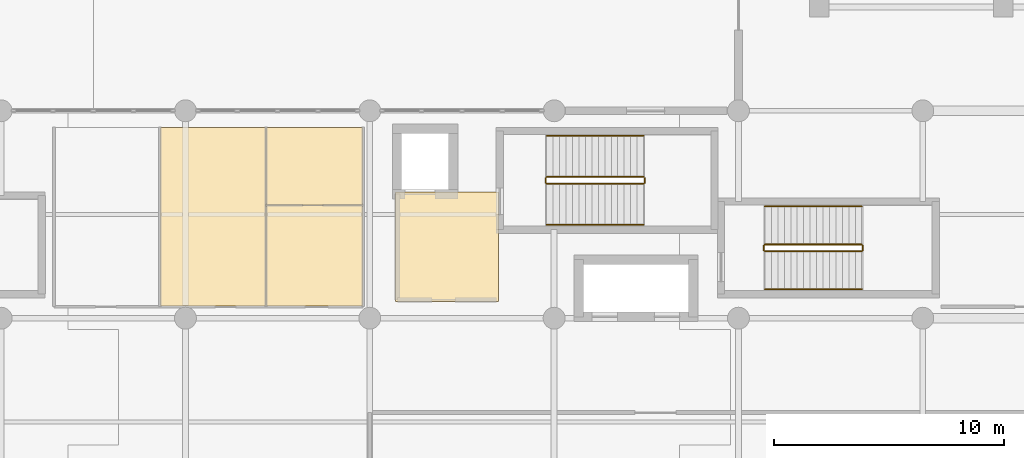
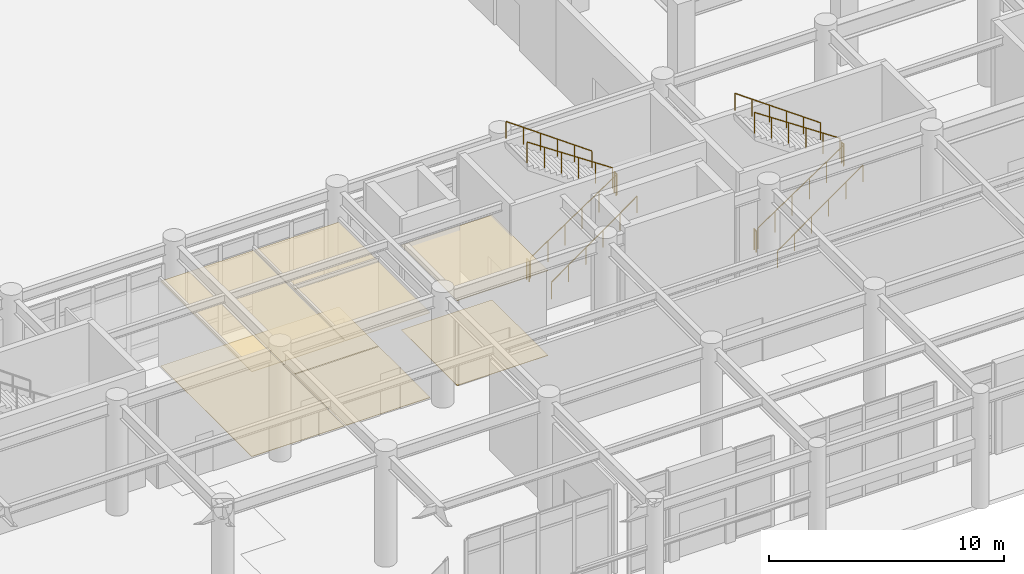
# One storey, part 43 of 49: 12 railings, 8 coverings.
"""IFC4 building model written with IfcOpenShell, lengths in metres."""

import ifcopenshell
import ifcopenshell.guid

model = None  # the IFC model being written
_history = None  # IfcOwnerHistory: only IFC2X3 demands one
_inside = {}  # id of a spatial element -> (the spatial element, [elements in it])
_under = {}  # id of a project, library or spatial element -> (it, [spatial elements below it])
_declared = {}  # id of a project -> (the project, [libraries it declares])
_typed = {}  # id of a type object -> (the type object, [elements of that type])
_made_of = {}  # id of a material, layer set ... -> (it, [elements and type objects made of it])


def new_model(schema):
    """Start an empty IFC model of exactly this schema.

    Asked for "IFC4X3", IfcOpenShell would pick the latest addendum, in which some entities
    have other attributes; the version numbers below select the first issue.
    IFC2X3 requires an IfcOwnerHistory on every rooted entity: one is made here for all.
    """
    global model, _history
    if schema == "IFC4X3":
        model = ifcopenshell.file(schema_version=(4, 3, 0, 0))
    else:
        model = ifcopenshell.file(schema=schema)
    _inside.clear()
    _under.clear()
    _declared.clear()
    _typed.clear()
    _made_of.clear()
    _history = None
    if model.schema == "IFC2X3":
        org = make("IfcOrganization", Name="unknown")
        user = make(
            "IfcPersonAndOrganization",
            ThePerson=make("IfcPerson", FamilyName="unknown"),
            TheOrganization=org,
        )
        app = make(
            "IfcApplication",
            ApplicationDeveloper=org,
            Version="unknown",
            ApplicationFullName="unknown",
            ApplicationIdentifier="unknown",
        )
        _history = make(
            "IfcOwnerHistory",
            OwningUser=user,
            OwningApplication=app,
            ChangeAction="ADDED",
            CreationDate=0,
        )
    return model


def make(cls, **values):
    """One entity of the class cls with the attributes given. An attribute that is None is left unset."""
    return model.create_entity(
        cls, **{name: value for name, value in values.items() if value is not None}
    )


def rooted(cls, **values):
    """An entity with a GlobalId (a new one), such as an element, a storey or a relation."""
    return make(cls, GlobalId=ifcopenshell.guid.new(), OwnerHistory=_history, **values)


def si_unit(unit_type, name, prefix=None):
    """IfcSIUnit, for example si_unit("LENGTHUNIT", "METRE", prefix="MILLI")."""
    return make("IfcSIUnit", UnitType=unit_type, Prefix=prefix, Name=name)


def assignment(units):
    """IfcUnitAssignment: the units of a project."""
    return None if units is None else make("IfcUnitAssignment", Units=units)


def point(xyz):
    """IfcCartesianPoint."""
    return None if xyz is None else make("IfcCartesianPoint", Coordinates=xyz)


def direction(xyz):
    """IfcDirection."""
    return None if xyz is None else make("IfcDirection", DirectionRatios=xyz)


def frame(location, z_axis=None, x_axis=None):
    """IfcAxis2Placement3D, a coordinate frame: its origin and axes. An axis left out is left unset."""
    return make(
        "IfcAxis2Placement3D",
        Location=point(location),
        Axis=direction(z_axis),
        RefDirection=direction(x_axis),
    )


def frame_2d(location, x_axis=None):
    """IfcAxis2Placement2D, a coordinate frame in the plane: its origin and x axis."""
    return make(
        "IfcAxis2Placement2D", Location=point(location), RefDirection=direction(x_axis)
    )


def origin():
    """The frame at (0, 0, 0) with its axes left unset."""
    return frame((0.0, 0.0, 0.0))


def origin_2d():
    """The frame at (0, 0) in the plane with its x axis left unset."""
    return frame_2d((0.0, 0.0))


def place(relative_to, where):
    """IfcLocalPlacement: puts the frame where relative to a parent placement (None: the world)."""
    return make(
        "IfcLocalPlacement", PlacementRelTo=relative_to, RelativePlacement=where
    )


def context(
    kind, dimensions, precision=None, world=None, true_north=None, identifier=None
):
    """IfcGeometricRepresentationContext, for example the 3D "Model" context."""
    return make(
        "IfcGeometricRepresentationContext",
        ContextIdentifier=identifier,
        ContextType=kind,
        CoordinateSpaceDimension=dimensions,
        Precision=precision,
        WorldCoordinateSystem=world,
        TrueNorth=true_north,
    )


def subcontext(parent, identifier, kind, view, scale=None):
    """IfcGeometricRepresentationSubContext, for example "Body" below "Model"."""
    return make(
        "IfcGeometricRepresentationSubContext",
        ContextIdentifier=identifier,
        ContextType=kind,
        ParentContext=parent,
        TargetScale=scale,
        TargetView=view,
    )


def project(units=None, contexts=None):
    """IfcProject with its units and contexts."""
    return rooted(
        "IfcProject",
        Name="project",
        RepresentationContexts=contexts,
        UnitsInContext=assignment(units),
    )


def spatial(cls, under=None, at=None, **own):
    """A site, building, storey or space (cls), placed at a placement, below another one or the project."""
    s = rooted(cls, ObjectPlacement=at, **own)
    if under is not None:
        _under.setdefault(under.id(), (under, []))[1].append(s)
    return s


def polyline(points):
    """IfcPolyline through the points."""
    return make("IfcPolyline", Points=[point(p) for p in points])


def profile(cls, at=None, kind="AREA", **sizes):
    """A parametric profile (cls). Its sizes go by their IFC names, for example OverallWidth=200.0."""
    return make(cls, ProfileType=kind, Position=at, **sizes)


def circle(**sizes):
    """IfcCircleProfileDef."""
    return profile("IfcCircleProfileDef", **sizes)


def outline(outer, holes=None, kind="AREA"):
    """IfcArbitraryClosedProfileDef: a profile drawn as a closed curve; with holes, ...WithVoids."""
    if holes is None:
        return make("IfcArbitraryClosedProfileDef", ProfileType=kind, OuterCurve=outer)
    return make(
        "IfcArbitraryProfileDefWithVoids",
        ProfileType=kind,
        OuterCurve=outer,
        InnerCurves=holes,
    )


def extrude(swept, where, along, depth):
    """IfcExtrudedAreaSolid: the profile swept, set in the frame where, extruded along a direction by depth."""
    return make(
        "IfcExtrudedAreaSolid",
        SweptArea=swept,
        Position=where,
        ExtrudedDirection=direction(along),
        Depth=depth,
    )


def shape(context_of_items, identifier, shape_type, items):
    """IfcShapeRepresentation: the items that make up one representation, for example the "Body"."""
    return make(
        "IfcShapeRepresentation",
        ContextOfItems=context_of_items,
        RepresentationIdentifier=identifier,
        RepresentationType=shape_type,
        Items=items,
    )


def material(Name=None, Category=None):
    """IfcMaterial."""
    return make("IfcMaterial", Name=Name, Category=Category)


def layer(
    of_material, thickness, ventilated=None, Name=None, Category=None, Priority=None
):
    """IfcMaterialLayer: one layer of a wall or slab, of a material (None: an air gap)."""
    return make(
        "IfcMaterialLayer",
        Material=of_material,
        LayerThickness=thickness,
        IsVentilated=ventilated,
        Name=Name,
        Category=Category,
        Priority=Priority,
    )


def layer_set(layers, Name=None):
    """IfcMaterialLayerSet."""
    return make("IfcMaterialLayerSet", MaterialLayers=layers, LayerSetName=Name)


def made_of(thing, what):
    """Note that an element or type object is made of a material, layer set ...; save() writes the relation."""
    if what is not None:
        _made_of.setdefault(what.id(), (what, []))[1].append(thing)
    return thing


def type_object(cls, material=None, **own):
    """A type object (cls), such as IfcWallType, which elements share."""
    return made_of(rooted(cls, **own), material)


def element(
    cls,
    number,
    at=None,
    inside=None,
    cuts=None,
    type_object=None,
    material=None,
    context=None,
    identifier="Body",
    shape_type=None,
    held_by="IfcProductDefinitionShape",
    body=None,
    shapes=None,
    **own,
):
    """One element of the class cls, such as IfcWall. Its Tag is "e" and its number.

    at: its placement. inside: the storey or other place that contains it. cuts: it is an
    opening in that element (IfcRelVoidsElement). A single representation is given by context,
    identifier, shape_type and body (its items); several are given by shapes. held_by: the class
    of the entity that holds the representations. save() writes the other relations.
    """
    e = rooted(cls, Tag="e%d" % number, ObjectPlacement=at, **own)
    if body is not None:
        shapes = [shape(context, identifier, shape_type, body)]
    if shapes is not None:
        e.Representation = make(held_by, Representations=shapes)
    if inside is not None:
        _inside.setdefault(inside.id(), (inside, []))[1].append(e)
    if cuts is not None:
        rooted(
            "IfcRelVoidsElement", RelatingBuildingElement=cuts, RelatedOpeningElement=e
        )
    if type_object is not None:
        _typed.setdefault(type_object.id(), (type_object, []))[1].append(e)
    return made_of(e, material)


def aggregate(whole, parts):
    """IfcRelAggregates: a whole, such as a stair, and the parts it consists of."""
    return rooted("IfcRelAggregates", RelatingObject=whole, RelatedObjects=parts)


def save(model, path):
    """Write the relations noted so far, then the file.

    IfcRelAggregates (storeys below a building ...), IfcRelContainedInSpatialStructure (elements
    in a storey), IfcRelDefinesByType, IfcRelAssociatesMaterial and IfcRelDeclares: one each for
    every whole, place, type object, material and project.
    """
    for whole, parts in _under.values():
        aggregate(whole, parts)
    for where, things in _inside.values():
        rooted(
            "IfcRelContainedInSpatialStructure",
            RelatedElements=things,
            RelatingStructure=where,
        )
    for kind, things in _typed.values():
        rooted("IfcRelDefinesByType", RelatedObjects=things, RelatingType=kind)
    for what, things in _made_of.values():
        rooted("IfcRelAssociatesMaterial", RelatedObjects=things, RelatingMaterial=what)
    for by, libraries in _declared.values():
        rooted("IfcRelDeclares", RelatingContext=by, RelatedDefinitions=libraries)
    model.write(path)


model = new_model("IFC4")

# Units and contexts
model_context = context("Model", 3, precision=1e-05, world=origin(), true_north=direction((0.0, 1.0)))
body_context = subcontext(model_context, "Body", "Model", "MODEL_VIEW")
ifc_project = project(units=[si_unit("LENGTHUNIT", "METRE"), si_unit("AREAUNIT", "SQUARE_METRE"), si_unit("VOLUMEUNIT", "CUBIC_METRE"), si_unit("PLANEANGLEUNIT", "RADIAN"), si_unit("MASSUNIT", "GRAM", prefix="KILO")], contexts=[model_context])

# Site, building, storey
site_placement = place(None, origin())
site = spatial("IfcSite", under=ifc_project, at=site_placement, CompositionType="ELEMENT")
building_placement = place(site_placement, origin())
building = spatial("IfcBuilding", under=site, at=building_placement, Name="Tlacozan Convention Centre", CompositionType="ELEMENT")
storey_placement = place(building_placement, origin())
storey = spatial("IfcBuildingStorey", under=building, at=storey_placement, Name="L00", CompositionType="ELEMENT", Elevation=0.0)

# Coverings
ifc_material_1 = material(Name="Perforated Acoustic Mineral Fibre Ceiling")
ifc_layer_1 = layer(ifc_material_1, 0.02490234375)
ifc_layer_set_1 = layer_set([ifc_layer_1], Name="Perforated Acoustic Mineral Fibre Ceiling")
covering_type_1 = type_object("IfcCoveringType", Name="Acoustic Mineral Fibre Ceiling 25", PredefinedType="CEILING", material=ifc_layer_set_1)
covering_1_placement = place(storey_placement, frame((0.0, 0.0, 4.39990234375)))
element("IfcCovering", 1, at=covering_1_placement, inside=storey, type_object=covering_type_1, Name="L00 Acoustic Ceiling L00-FFL-2", PredefinedType="CEILING", context=body_context, shape_type="SweptSolid", body=[
    extrude(outline(polyline([(73.1201171875, 18.719970703125), (77.580078125, 18.719970703125), (77.580078125, 23.47998046875), (73.1201171875, 23.47998046875), (73.1201171875, 18.719970703125)])), origin(), (0.0, 0.0, 1.0), 0.025146484375),
])
covering_2_placement = place(storey_placement, frame((0.0, 0.0, 4.39990234375)))
element("IfcCovering", 2, at=covering_2_placement, inside=storey, type_object=covering_type_1, Name="L00 Acoustic Ceiling L00-WC2", PredefinedType="CEILING", context=body_context, shape_type="SweptSolid", body=[
    extrude(outline(polyline([(62.919921875, 18.52001953125), (67.47998046875, 18.52001953125), (67.47998046875, 26.280029296875), (62.919921875, 26.280029296875), (62.919921875, 18.52001953125)])), origin(), (0.0, 0.0, 1.0), 0.025146484375),
])
covering_3_placement = place(storey_placement, frame((0.0, 0.0, 4.39990234375)))
element("IfcCovering", 3, at=covering_3_placement, inside=storey, type_object=covering_type_1, Name="L00 Acoustic Ceiling L00-WCA", PredefinedType="CEILING", context=body_context, shape_type="SweptSolid", body=[
    extrude(outline(polyline([(67.52001953125, 18.52001953125), (71.679931640625, 18.52001953125), (71.679931640625, 22.8798828125), (67.52001953125, 22.8798828125), (67.52001953125, 18.52001953125)])), origin(), (0.0, 0.0, 1.0), 0.025146484375),
])
covering_4_placement = place(storey_placement, frame((0.0, 0.0, 4.39990234375)))
element("IfcCovering", 4, at=covering_4_placement, inside=storey, type_object=covering_type_1, Name="L00 Acoustic Ceiling L00-JAN", PredefinedType="CEILING", context=body_context, shape_type="SweptSolid", body=[
    extrude(outline(polyline([(67.52001953125, 22.919921875), (71.679931640625, 22.919921875), (71.679931640625, 26.280029296875), (67.52001953125, 26.280029296875), (67.52001953125, 22.919921875)])), origin(), (0.0, 0.0, 1.0), 0.025146484375),
])
ifc_material_2 = material(Name="Polished Basalt Terrazzo Flooring", Category="masonry")
ifc_layer_2 = layer(ifc_material_2, 0.02001953125)
ifc_layer_set_2 = layer_set([ifc_layer_2], Name="Polished Basalt Terrazzo Flooring")
covering_type_2 = type_object("IfcCoveringType", Name="Polished Basalt Terrazzo Flooring 20", PredefinedType="FLOORING", material=ifc_layer_set_2)
covering_5_placement = place(storey_placement, origin())
element("IfcCovering", 5, at=covering_5_placement, inside=storey, type_object=covering_type_2, Name="L00 Terrazzo Flooring L00-FFL-2", PredefinedType="FLOORING", context=body_context, shape_type="SweptSolid", body=[
    extrude(outline(polyline([(73.1201171875, 18.719970703125), (77.580078125, 18.719970703125), (77.580078125, 23.47998046875), (73.1201171875, 23.47998046875), (73.1201171875, 18.719970703125)])), origin(), (0.0, 0.0, 1.0), 0.02001953125),
])
covering_6_placement = place(storey_placement, origin())
element("IfcCovering", 6, at=covering_6_placement, inside=storey, type_object=covering_type_2, Name="L00 Terrazzo Flooring L00-WC2", PredefinedType="FLOORING", context=body_context, shape_type="SweptSolid", body=[
    extrude(outline(polyline([(62.919921875, 18.52001953125), (67.47998046875, 18.52001953125), (67.47998046875, 26.280029296875), (62.919921875, 26.280029296875), (62.919921875, 18.52001953125)])), origin(), (0.0, 0.0, 1.0), 0.02001953125),
])
covering_7_placement = place(storey_placement, origin())
element("IfcCovering", 7, at=covering_7_placement, inside=storey, type_object=covering_type_2, Name="L00 Terrazzo Flooring L00-WCA", PredefinedType="FLOORING", context=body_context, shape_type="SweptSolid", body=[
    extrude(outline(polyline([(67.52001953125, 18.52001953125), (71.679931640625, 18.52001953125), (71.679931640625, 22.8798828125), (67.52001953125, 22.8798828125), (67.52001953125, 18.52001953125)])), origin(), (0.0, 0.0, 1.0), 0.02001953125),
])
covering_8_placement = place(storey_placement, origin())
element("IfcCovering", 8, at=covering_8_placement, inside=storey, type_object=covering_type_2, Name="L00 Terrazzo Flooring L00-JAN", PredefinedType="FLOORING", context=body_context, shape_type="SweptSolid", body=[
    extrude(outline(polyline([(67.52001953125, 22.919921875), (71.679931640625, 22.919921875), (71.679931640625, 26.280029296875), (67.52001953125, 26.280029296875), (67.52001953125, 22.919921875)])), origin(), (0.0, 0.0, 1.0), 0.02001953125),
])

# Railings
ifc_material_3 = material(Name="Architectural Painted Galvanised Steel Railing", Category="steel")
railing_type_1 = type_object("IfcRailingType", Name="Stair Wall Handrail 900", PredefinedType="HANDRAIL", material=ifc_material_3)
railing_1_placement = place(storey_placement, frame((79.679931640625, 22.050048828125, 0.1875)))
element("IfcRailing", 9, at=railing_1_placement, inside=storey, type_object=railing_type_1, Name="L00 ST-02 stair handrail 1", PredefinedType="HANDRAIL", context=body_context, shape_type="SweptSolid", body=[
    extrude(circle(Radius=0.02392578125, at=origin_2d()), frame((0.0, 0.0, 0.8759765625), z_axis=(0.813730275137, 0.0, 0.581242668191), x_axis=(0.0, 1.0, 0.0)), (0.0, 0.0, 1.0), 5.161376953125),
    extrude(circle(Radius=0.02099609375, at=origin_2d()), origin(), (0.0, 0.0, 1.0), 0.851806640625),
    extrude(circle(Radius=0.02099609375, at=origin_2d()), frame((0.840087890625, 0.0, 0.60009765625)), (0.0, 0.0, 1.0), 0.851806640625),
    extrude(circle(Radius=0.02099609375, at=origin_2d()), frame((1.679931640625, 0.0, 1.199951171875)), (0.0, 0.0, 1.0), 0.851806640625),
    extrude(circle(Radius=0.02099609375, at=origin_2d()), frame((2.52001953125, 0.0, 1.800048828125)), (0.0, 0.0, 1.0), 0.851806640625),
    extrude(circle(Radius=0.02099609375, at=origin_2d()), frame((3.35986328125, 0.0, 2.39990234375)), (0.0, 0.0, 1.0), 0.851806640625),
    extrude(circle(Radius=0.02099609375, at=origin_2d()), frame((4.199951171875, 0.0, 3.0)), (0.0, 0.0, 1.0), 0.851806640625),
])
railing_2_placement = place(storey_placement, frame((83.8798828125, 25.909912109375, 3.1875)))
element("IfcRailing", 10, at=railing_2_placement, inside=storey, type_object=railing_type_1, Name="L00 ST-02 stair handrail 2", PredefinedType="HANDRAIL", context=body_context, shape_type="SweptSolid", body=[
    extrude(circle(Radius=0.02392578125, at=origin_2d()), frame((0.0, 0.0, 0.8759765625), z_axis=(-0.813730275137, 0.0, 0.581242668191), x_axis=(0.0, -1.0, 0.0)), (0.0, 0.0, 1.0), 5.161376953125),
    extrude(circle(Radius=0.02099609375, at=origin_2d()), origin(), (0.0, 0.0, 1.0), 0.851806640625),
    extrude(circle(Radius=0.02099609375, at=origin_2d()), frame((-0.840087890625, 0.0, 0.60009765625)), (0.0, 0.0, 1.0), 0.851806640625),
    extrude(circle(Radius=0.02099609375, at=origin_2d()), frame((-1.679931640625, 0.0, 1.199951171875)), (0.0, 0.0, 1.0), 0.851806640625),
    extrude(circle(Radius=0.02099609375, at=origin_2d()), frame((-2.52001953125, 0.0, 1.800048828125)), (0.0, 0.0, 1.0), 0.851806640625),
    extrude(circle(Radius=0.02099609375, at=origin_2d()), frame((-3.35986328125, 0.0, 2.39990234375)), (0.0, 0.0, 1.0), 0.851806640625),
    extrude(circle(Radius=0.02099609375, at=origin_2d()), frame((-4.199951171875, 0.0, 3.0)), (0.0, 0.0, 1.0), 0.851806640625),
])
railing_3_placement = place(storey_placement, frame((89.14990234375, 19.25, 0.1875)))
element("IfcRailing", 11, at=railing_3_placement, inside=storey, type_object=railing_type_1, Name="L00 ST-15 stair handrail 1", PredefinedType="HANDRAIL", context=body_context, shape_type="SweptSolid", body=[
    extrude(circle(Radius=0.02392578125, at=origin_2d()), frame((0.0, 0.0, 0.8759765625), z_axis=(0.813746254747, 0.0, 0.581220296346), x_axis=(0.0, 1.0, 0.0)), (0.0, 0.0, 1.0), 5.16162109375),
    extrude(circle(Radius=0.02099609375, at=origin_2d()), origin(), (0.0, 0.0, 1.0), 0.851806640625),
    extrude(circle(Radius=0.02099609375, at=origin_2d()), frame((0.840087890625, 0.0, 0.60009765625)), (0.0, 0.0, 1.0), 0.851806640625),
    extrude(circle(Radius=0.02099609375, at=origin_2d()), frame((1.68017578125, 0.0, 1.199951171875)), (0.0, 0.0, 1.0), 0.851806640625),
    extrude(circle(Radius=0.02099609375, at=origin_2d()), frame((2.52001953125, 0.0, 1.800048828125)), (0.0, 0.0, 1.0), 0.851806640625),
    extrude(circle(Radius=0.02099609375, at=origin_2d()), frame((3.360107421875, 0.0, 2.39990234375)), (0.0, 0.0, 1.0), 0.851806640625),
    extrude(circle(Radius=0.02099609375, at=origin_2d()), frame((4.2001953125, 0.0, 3.0)), (0.0, 0.0, 1.0), 0.851806640625),
])
railing_4_placement = place(storey_placement, frame((93.35009765625, 22.85009765625, 3.1875)))
element("IfcRailing", 12, at=railing_4_placement, inside=storey, type_object=railing_type_1, Name="L00 ST-15 stair handrail 2", PredefinedType="HANDRAIL", context=body_context, shape_type="SweptSolid", body=[
    extrude(circle(Radius=0.02392578125, at=origin_2d()), frame((0.0, 0.0, 0.8759765625), z_axis=(-0.813746254747, 0.0, 0.581220296346), x_axis=(0.0, -1.0, 0.0)), (0.0, 0.0, 1.0), 5.16162109375),
    extrude(circle(Radius=0.02099609375, at=origin_2d()), origin(), (0.0, 0.0, 1.0), 0.851806640625),
    extrude(circle(Radius=0.02099609375, at=origin_2d()), frame((-0.840087890625, 0.0, 0.60009765625)), (0.0, 0.0, 1.0), 0.851806640625),
    extrude(circle(Radius=0.02099609375, at=origin_2d()), frame((-1.68017578125, 0.0, 1.199951171875)), (0.0, 0.0, 1.0), 0.851806640625),
    extrude(circle(Radius=0.02099609375, at=origin_2d()), frame((-2.52001953125, 0.0, 1.800048828125)), (0.0, 0.0, 1.0), 0.851806640625),
    extrude(circle(Radius=0.02099609375, at=origin_2d()), frame((-3.360107421875, 0.0, 2.39990234375)), (0.0, 0.0, 1.0), 0.851806640625),
    extrude(circle(Radius=0.02099609375, at=origin_2d()), frame((-4.2001953125, 0.0, 3.0)), (0.0, 0.0, 1.0), 0.851806640625),
])
railing_type_2 = type_object("IfcRailingType", Name="Stair Well Guardrail 1100", PredefinedType="GUARDRAIL", material=ifc_material_3)
railing_5_placement = place(storey_placement, frame((79.679931640625, 23.830078125, 0.1875)))
element("IfcRailing", 13, at=railing_5_placement, inside=storey, type_object=railing_type_2, Name="L00 ST-02 stair guard 1", PredefinedType="GUARDRAIL", context=body_context, shape_type="SweptSolid", body=[
    extrude(circle(Radius=0.02392578125, at=origin_2d()), frame((0.0, 0.0, 1.076171875), z_axis=(0.830904186295, 0.0, 0.556415522067), x_axis=(0.0, 1.0, 0.0)), (0.0, 0.0, 1.0), 5.0546875),
    extrude(circle(Radius=0.02099609375, at=origin_2d()), origin(), (0.0, 0.0, 1.0), 1.052001953125),
    extrude(circle(Radius=0.02099609375, at=origin_2d()), frame((0.840087890625, 0.0, 0.5625)), (0.0, 0.0, 1.0), 1.052001953125),
    extrude(circle(Radius=0.02099609375, at=origin_2d()), frame((1.679931640625, 0.0, 1.125)), (0.0, 0.0, 1.0), 1.052001953125),
    extrude(circle(Radius=0.02099609375, at=origin_2d()), frame((2.52001953125, 0.0, 1.6875)), (0.0, 0.0, 1.0), 1.052001953125),
    extrude(circle(Radius=0.02099609375, at=origin_2d()), frame((3.35986328125, 0.0, 2.25)), (0.0, 0.0, 1.0), 1.052001953125),
    extrude(circle(Radius=0.02099609375, at=origin_2d()), frame((4.199951171875, 0.0, 2.8125)), (0.0, 0.0, 1.0), 1.052001953125),
])
railing_6_placement = place(storey_placement, frame((83.929931640625, 23.8798828125, 3.0)))
element("IfcRailing", 14, at=railing_6_placement, inside=storey, type_object=railing_type_2, Name="L00 ST-02 stair guard 2", PredefinedType="GUARDRAIL", context=body_context, shape_type="SweptSolid", body=[
    extrude(circle(Radius=0.02392578125, at=origin_2d()), frame((0.0, 0.0, 1.076171875), z_axis=(0.0, 1.0, 0.0), x_axis=(-1.0, 0.0, 0.0)), (0.0, 0.0, 1.0), 0.2001953125),
    extrude(circle(Radius=0.02099609375, at=origin_2d()), origin(), (0.0, 0.0, 1.0), 1.052001953125),
    extrude(circle(Radius=0.02099609375, at=origin_2d()), frame((0.0, 0.2001953125, 0.0)), (0.0, 0.0, 1.0), 1.052001953125),
])
railing_7_placement = place(storey_placement, frame((83.8798828125, 24.1298828125, 3.1875)))
element("IfcRailing", 15, at=railing_7_placement, inside=storey, type_object=railing_type_2, Name="L00 ST-02 stair guard 3", PredefinedType="GUARDRAIL", context=body_context, shape_type="SweptSolid", body=[
    extrude(circle(Radius=0.02392578125, at=origin_2d()), frame((0.0, 0.0, 1.076171875), z_axis=(-0.830904186295, 0.0, 0.556415522067), x_axis=(0.0, -1.0, 0.0)), (0.0, 0.0, 1.0), 5.0546875),
    extrude(circle(Radius=0.02099609375, at=origin_2d()), origin(), (0.0, 0.0, 1.0), 1.052001953125),
    extrude(circle(Radius=0.02099609375, at=origin_2d()), frame((-0.840087890625, 0.0, 0.5625)), (0.0, 0.0, 1.0), 1.052001953125),
    extrude(circle(Radius=0.02099609375, at=origin_2d()), frame((-1.679931640625, 0.0, 1.125)), (0.0, 0.0, 1.0), 1.052001953125),
    extrude(circle(Radius=0.02099609375, at=origin_2d()), frame((-2.52001953125, 0.0, 1.6875)), (0.0, 0.0, 1.0), 1.052001953125),
    extrude(circle(Radius=0.02099609375, at=origin_2d()), frame((-3.35986328125, 0.0, 2.25)), (0.0, 0.0, 1.0), 1.052001953125),
    extrude(circle(Radius=0.02099609375, at=origin_2d()), frame((-4.199951171875, 0.0, 2.8125)), (0.0, 0.0, 1.0), 1.052001953125),
])
railing_8_placement = place(storey_placement, frame((79.6298828125, 23.8798828125, 0.0)))
element("IfcRailing", 16, at=railing_8_placement, inside=storey, type_object=railing_type_2, Name="L00 ST-02 stair guard 4", PredefinedType="GUARDRAIL", context=body_context, shape_type="SweptSolid", body=[
    extrude(circle(Radius=0.02392578125, at=origin_2d()), frame((0.0, 0.0, 1.076171875), z_axis=(0.0, 1.0, 0.0), x_axis=(-1.0, 0.0, 0.0)), (0.0, 0.0, 1.0), 0.2001953125),
    extrude(circle(Radius=0.02099609375, at=origin_2d()), origin(), (0.0, 0.0, 1.0), 1.052001953125),
    extrude(circle(Radius=0.02099609375, at=origin_2d()), frame((0.0, 0.2001953125, 0.0)), (0.0, 0.0, 1.0), 1.052001953125),
])
railing_9_placement = place(storey_placement, frame((89.14990234375, 20.89990234375, 0.1875)))
element("IfcRailing", 17, at=railing_9_placement, inside=storey, type_object=railing_type_2, Name="L00 ST-15 stair guard 1", PredefinedType="GUARDRAIL", context=body_context, shape_type="SweptSolid", body=[
    extrude(circle(Radius=0.02392578125, at=origin_2d()), frame((0.0, 0.0, 1.076171875), z_axis=(0.830919138977, 0.0, 0.55639319234), x_axis=(0.0, 1.0, 0.0)), (0.0, 0.0, 1.0), 5.054931640625),
    extrude(circle(Radius=0.02099609375, at=origin_2d()), origin(), (0.0, 0.0, 1.0), 1.052001953125),
    extrude(circle(Radius=0.02099609375, at=origin_2d()), frame((0.840087890625, 0.0, 0.5625)), (0.0, 0.0, 1.0), 1.052001953125),
    extrude(circle(Radius=0.02099609375, at=origin_2d()), frame((1.68017578125, 0.0, 1.125)), (0.0, 0.0, 1.0), 1.052001953125),
    extrude(circle(Radius=0.02099609375, at=origin_2d()), frame((2.52001953125, 0.0, 1.6875)), (0.0, 0.0, 1.0), 1.052001953125),
    extrude(circle(Radius=0.02099609375, at=origin_2d()), frame((3.360107421875, 0.0, 2.25)), (0.0, 0.0, 1.0), 1.052001953125),
    extrude(circle(Radius=0.02099609375, at=origin_2d()), frame((4.2001953125, 0.0, 2.8125)), (0.0, 0.0, 1.0), 1.052001953125),
])
railing_10_placement = place(storey_placement, frame((93.39990234375, 20.949951171875, 3.0)))
element("IfcRailing", 18, at=railing_10_placement, inside=storey, type_object=railing_type_2, Name="L00 ST-15 stair guard 2", PredefinedType="GUARDRAIL", context=body_context, shape_type="SweptSolid", body=[
    extrude(circle(Radius=0.02392578125, at=origin_2d()), frame((0.0, 0.0, 1.076171875), z_axis=(0.0, 1.0, 0.0), x_axis=(-1.0, 0.0, 0.0)), (0.0, 0.0, 1.0), 0.199951171875),
    extrude(circle(Radius=0.02099609375, at=origin_2d()), origin(), (0.0, 0.0, 1.0), 1.052001953125),
    extrude(circle(Radius=0.02099609375, at=origin_2d()), frame((0.0, 0.199951171875, 0.0)), (0.0, 0.0, 1.0), 1.052001953125),
])
railing_11_placement = place(storey_placement, frame((93.35009765625, 21.199951171875, 3.1875)))
element("IfcRailing", 19, at=railing_11_placement, inside=storey, type_object=railing_type_2, Name="L00 ST-15 stair guard 3", PredefinedType="GUARDRAIL", context=body_context, shape_type="SweptSolid", body=[
    extrude(circle(Radius=0.02392578125, at=origin_2d()), frame((0.0, 0.0, 1.076171875), z_axis=(-0.830919138977, 0.0, 0.55639319234), x_axis=(0.0, -1.0, 0.0)), (0.0, 0.0, 1.0), 5.054931640625),
    extrude(circle(Radius=0.02099609375, at=origin_2d()), origin(), (0.0, 0.0, 1.0), 1.052001953125),
    extrude(circle(Radius=0.02099609375, at=origin_2d()), frame((-0.840087890625, 0.0, 0.5625)), (0.0, 0.0, 1.0), 1.052001953125),
    extrude(circle(Radius=0.02099609375, at=origin_2d()), frame((-1.68017578125, 0.0, 1.125)), (0.0, 0.0, 1.0), 1.052001953125),
    extrude(circle(Radius=0.02099609375, at=origin_2d()), frame((-2.52001953125, 0.0, 1.6875)), (0.0, 0.0, 1.0), 1.052001953125),
    extrude(circle(Radius=0.02099609375, at=origin_2d()), frame((-3.360107421875, 0.0, 2.25)), (0.0, 0.0, 1.0), 1.052001953125),
    extrude(circle(Radius=0.02099609375, at=origin_2d()), frame((-4.2001953125, 0.0, 2.8125)), (0.0, 0.0, 1.0), 1.052001953125),
])
railing_12_placement = place(storey_placement, frame((89.10009765625, 20.949951171875, 0.0)))
element("IfcRailing", 20, at=railing_12_placement, inside=storey, type_object=railing_type_2, Name="L00 ST-15 stair guard 4", PredefinedType="GUARDRAIL", context=body_context, shape_type="SweptSolid", body=[
    extrude(circle(Radius=0.02392578125, at=origin_2d()), frame((0.0, 0.0, 1.076171875), z_axis=(0.0, 1.0, 0.0), x_axis=(-1.0, 0.0, 0.0)), (0.0, 0.0, 1.0), 0.199951171875),
    extrude(circle(Radius=0.02099609375, at=origin_2d()), origin(), (0.0, 0.0, 1.0), 1.052001953125),
    extrude(circle(Radius=0.02099609375, at=origin_2d()), frame((0.0, 0.199951171875, 0.0)), (0.0, 0.0, 1.0), 1.052001953125),
])

save(model, "model.ifc")
